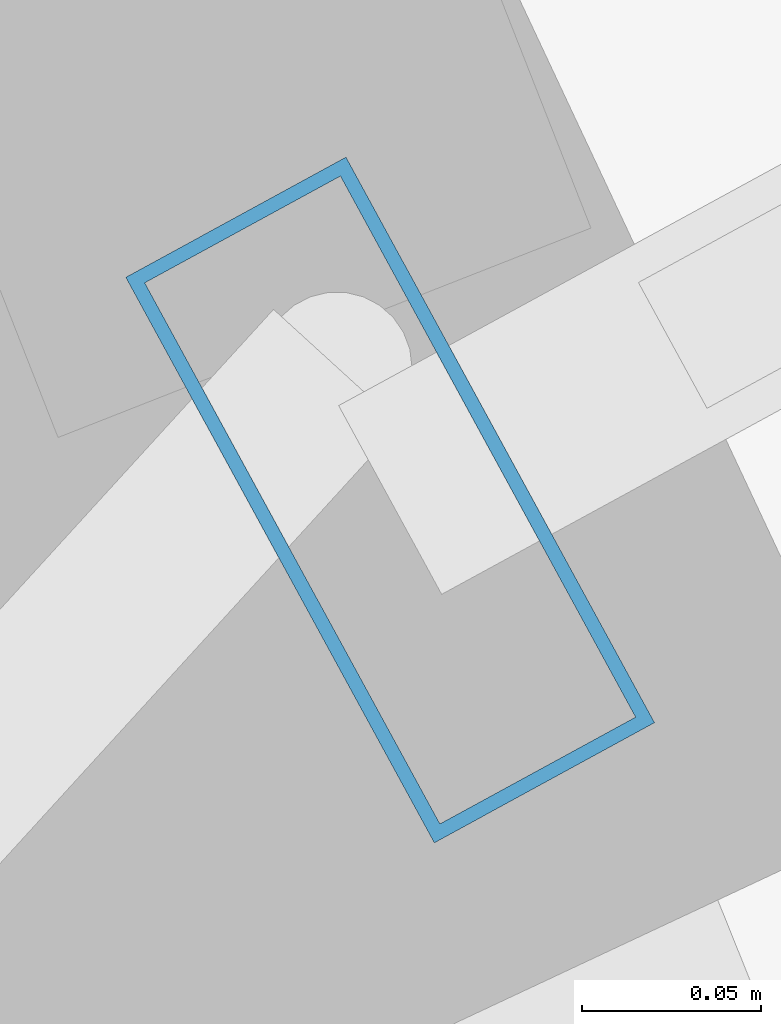
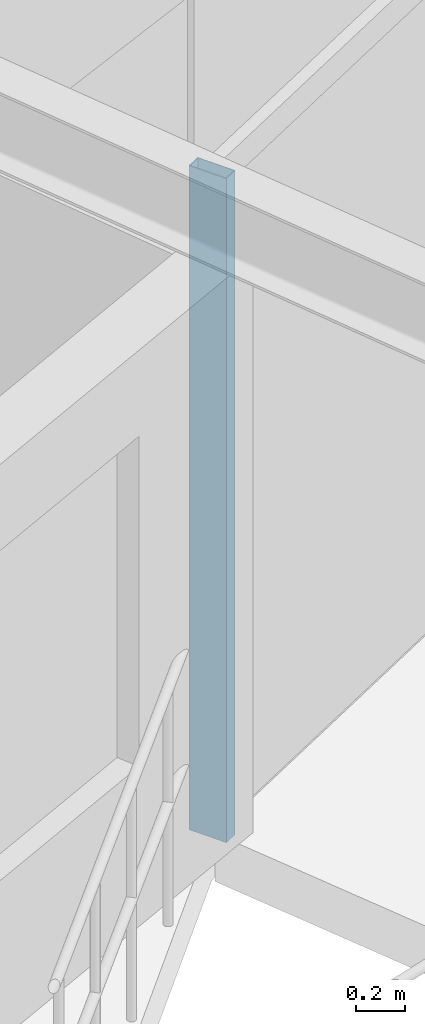
# One storey, part 2 of 15: 1 member, 1 element without a shape of its own.
"""IFC4 building model written with IfcOpenShell, lengths in metres."""

from ifc_helpers import new_model, si_unit, direction, frame, origin, origin_2d, place, context, subcontext, project, spatial, hollow_rectangle, extrude, material, layer, layer_set, material_profile, profile_set, type_object, element, aggregate, save


model = new_model("IFC4")

# Units and contexts
model_context = context("Model", 3, precision=1e-05, world=origin(), true_north=direction((0.0, 1.0)))
body_context = subcontext(model_context, "Body", "Model", "MODEL_VIEW")
ifc_project = project(units=[si_unit("LENGTHUNIT", "METRE"), si_unit("AREAUNIT", "SQUARE_METRE"), si_unit("VOLUMEUNIT", "CUBIC_METRE"), si_unit("PLANEANGLEUNIT", "RADIAN"), si_unit("MASSUNIT", "GRAM", prefix="KILO")], contexts=[model_context])

# Site, building, storey
site_placement = place(None, origin())
site = spatial("IfcSite", under=ifc_project, at=site_placement, CompositionType="ELEMENT")
building_placement = place(site_placement, origin())
building = spatial("IfcBuilding", under=site, at=building_placement, Name="Veldorina Hangang Commons", CompositionType="ELEMENT")
storey_placement = place(building_placement, frame((0.0, 0.0, 254.39990234375)))
storey = spatial("IfcBuildingStorey", under=building, at=storey_placement, Name="L66", CompositionType="ELEMENT", Elevation=254.39990234375)

# Curtain wall, member
ifc_material_1 = material(Name="Glass Low-E Selective", Category="glass")
ifc_layer = layer(ifc_material_1, 0.179931640625)
ifc_layer_set = layer_set([ifc_layer], Name="Glass Low-E Selective")
curtain_wall_type = type_object("IfcCurtainWallType", Name="CW-SYS-Z3", PredefinedType="NOTDEFINED", material=ifc_layer_set)
curtain_wall_placement = place(storey_placement, origin())
curtain_wall = element("IfcCurtainWall", 1, at=curtain_wall_placement, inside=storey, type_object=curtain_wall_type, Name="L66 unitised curtain wall CW-L66-R1", PredefinedType="NOTDEFINED")
ifc_material_2 = material(Name="Aluminium Anodized AA6063-T6", Category="aluminium")
ifc_material_profile = material_profile(ifc_material_2, hollow_rectangle(XDim=0.070068359375, YDim=0.179931640625, WallThickness=0.00390625, at=origin_2d()), Name="ALU-RHS-180x70x4")
ifc_profile_set = profile_set([ifc_material_profile], Name="Aluminium Anodized AA6063-T6")
member_type = type_object("IfcMemberType", Name="CW-MUL-180", PredefinedType="MULLION", material=ifc_profile_set)
member_placement = place(storey_placement, frame((39.695556640625, 5.036865234375, 0.0), z_axis=(0.0, 0.0, 1.0), x_axis=(0.877849265212, 0.478937018372, 0.0)))
member = element("IfcMember", 2, at=member_placement, type_object=member_type, Name="CW-L66-R1 vertical mullion 1", PredefinedType="MULLION", context=body_context, shape_type="SweptSolid", body=[
    extrude(hollow_rectangle(XDim=0.070068359375, YDim=0.179931640625, WallThickness=0.00390625, at=origin_2d()), origin(), (0.0, 0.0, 1.0), 3.320068359375),
])
aggregate(curtain_wall, [member])

save(model, "model.ifc")
